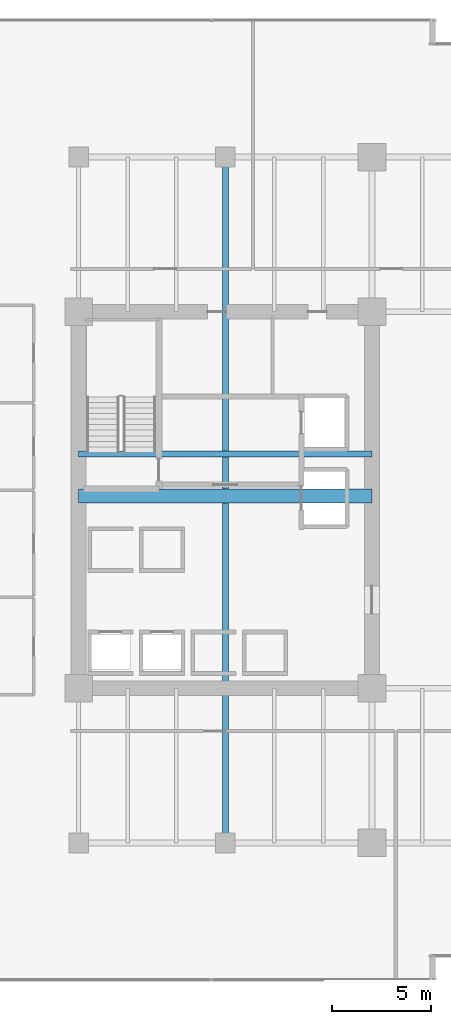
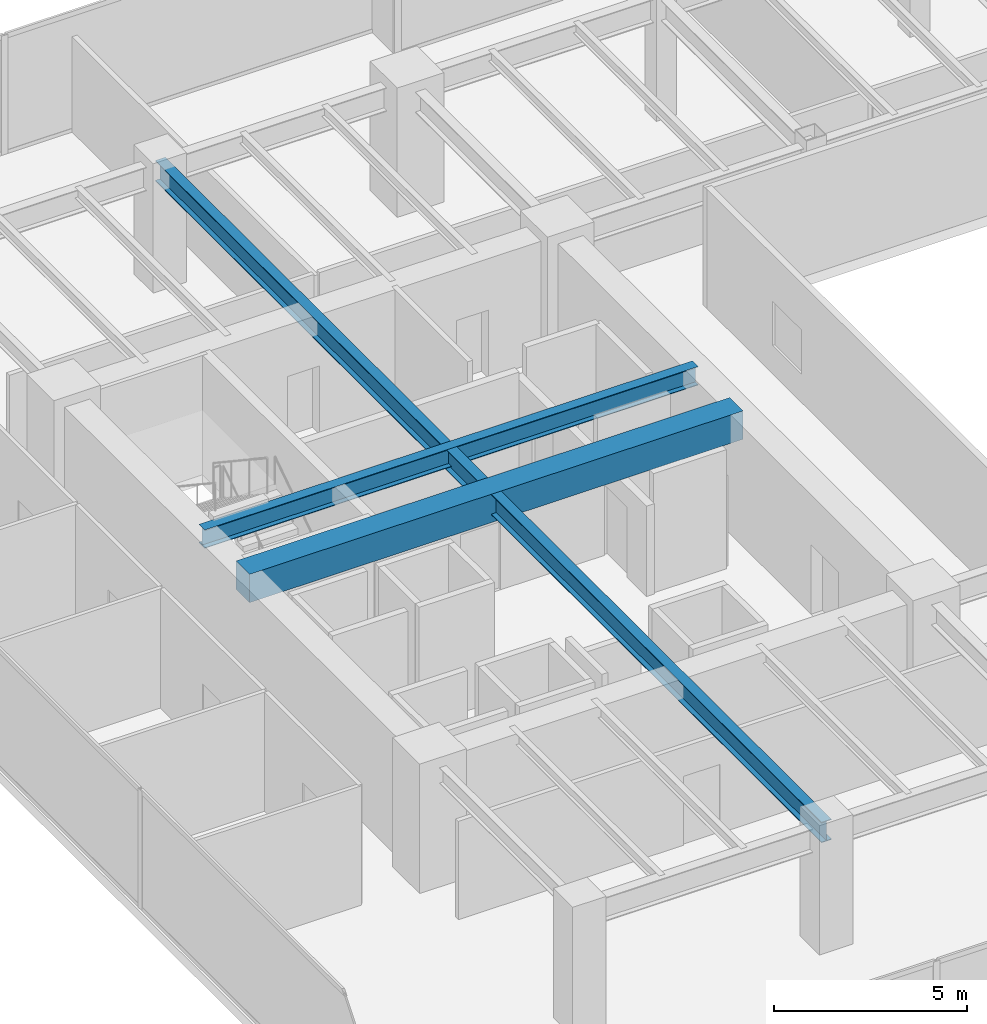
# One storey, part 7 of 35: 3 beams.
"""IFC4 building model written with IfcOpenShell, lengths in metres."""

from ifc_helpers import new_model, si_unit, direction, frame, origin, origin_2d, place, context, subcontext, project, spatial, rectangle, i_section, extrude, source, transform, mapped, material, material_profile, profile_set, type_object, type_shapes, element, save


model = new_model("IFC4")

# Units and contexts
model_context = context("Model", 3, precision=1e-05, world=origin(), true_north=direction((0.0, 1.0)))
body_context = subcontext(model_context, "Body", "Model", "MODEL_VIEW")
ifc_project = project(units=[si_unit("LENGTHUNIT", "METRE"), si_unit("AREAUNIT", "SQUARE_METRE"), si_unit("VOLUMEUNIT", "CUBIC_METRE"), si_unit("PLANEANGLEUNIT", "RADIAN"), si_unit("MASSUNIT", "GRAM", prefix="KILO")], contexts=[model_context])

# Site, building, storey
site_placement = place(None, origin())
site = spatial("IfcSite", under=ifc_project, at=site_placement, CompositionType="ELEMENT")
building_placement = place(site_placement, origin())
building = spatial("IfcBuilding", under=site, at=building_placement, Name="Haelvirn Gate Laboratories", CompositionType="ELEMENT")
storey_placement = place(building_placement, frame((0.0, 0.0, 90.800048828125)))
storey = spatial("IfcBuildingStorey", under=building, at=storey_placement, Name="L22", CompositionType="ELEMENT", Elevation=90.800048828125)

# Beams
ifc_material_1 = material(Name="Concrete C60/75", Category="concrete")
ifc_material_profile_1 = material_profile(ifc_material_1, rectangle(XDim=0.699951171875, YDim=0.89990234375, at=origin_2d()), Name="RCB-700x900")
ifc_profile_set_1 = profile_set([ifc_material_profile_1], Name="Concrete C60/75")
beam_type_1 = type_object("IfcBeamType", Name="BM-RCB-900", PredefinedType="LINTEL", material=ifc_profile_set_1)
shared_shape_1 = source(origin(), body_context, "Body", "SweptSolid", [
    extrude(rectangle(XDim=0.699951171875, YDim=0.89990234375, at=origin_2d()), origin(), (0.0, 0.0, 1.0), 14.800048828125),
])
type_shapes(beam_type_1, [shared_shape_1])
beam_1_placement = place(storey_placement, frame((7.39990234375, 24.5, 3.329833984375), z_axis=(1.0, 0.0, 0.0), x_axis=(0.0, 1.0, 0.0)))
element("IfcBeam", 1, at=beam_1_placement, inside=storey, type_object=beam_type_1, Name="L22 West Core Coupling Beam", PredefinedType="LINTEL", context=body_context, shape_type="MappedRepresentation", body=[
    mapped(shared_shape_1, transform((0.0, 0.0, 0.0), scale=1.0)),
])
ifc_material_2 = material(Name="Steel SM355", Category="steel")
ifc_material_profile_2 = material_profile(ifc_material_2, i_section(OverallWidth=0.300048828125, OverallDepth=0.587890625, WebThickness=0.011962890625, FlangeThickness=0.02001953125, at=origin_2d()), Name="H-588x300x12x20")
ifc_profile_set_2 = profile_set([ifc_material_profile_2], Name="Steel SM355")
beam_type_2 = type_object("IfcBeamType", Name="BM-G-588", PredefinedType="BEAM", material=ifc_profile_set_2)
shared_shape_2 = source(origin(), body_context, "Body", "SweptSolid", [
    extrude(i_section(OverallWidth=0.300048828125, OverallDepth=0.587890625, WebThickness=0.011962890625, FlangeThickness=0.02001953125, at=origin_2d()), origin(), (0.0, 0.0, 1.0), 14.800048828125),
])
type_shapes(beam_type_2, [shared_shape_2])
beam_2_placement = place(storey_placement, frame((7.39990234375, 26.6201171875, 3.48583984375), z_axis=(1.0, 0.0, 0.0), x_axis=(0.0, 1.0, 0.0)))
element("IfcBeam", 2, at=beam_2_placement, inside=storey, type_object=beam_type_2, Name="L22 Stair ST1 Landing Header", PredefinedType="BEAM", context=body_context, shape_type="MappedRepresentation", body=[
    mapped(shared_shape_2, transform((0.0, 0.0, 0.0), scale=1.0)),
])
ifc_material_profile_3 = material_profile(ifc_material_2, i_section(OverallWidth=0.300048828125, OverallDepth=0.64990234375, WebThickness=0.012939453125, FlangeThickness=0.02197265625, at=origin_2d()), Name="H-650x300x13x22")
ifc_profile_set_3 = profile_set([ifc_material_profile_3], Name="Steel SM355")
beam_type_3 = type_object("IfcBeamType", Name="BM-G-650", PredefinedType="BEAM", material=ifc_profile_set_3)
shared_shape_3 = source(origin(), body_context, "Body", "SweptSolid", [
    extrude(i_section(OverallWidth=0.300048828125, OverallDepth=0.64990234375, WebThickness=0.012939453125, FlangeThickness=0.02197265625, at=origin_2d()), origin(), (0.0, 0.0, 1.0), 34.60009765625),
])
type_shapes(beam_type_3, [shared_shape_3])
beam_3_placement = place(storey_placement, frame((14.800048828125, 7.0, 3.454833984375), z_axis=(0.0, 1.0, 0.0), x_axis=(-1.0, 0.0, 0.0)))
element("IfcBeam", 3, at=beam_3_placement, inside=storey, type_object=beam_type_3, Name="L22 Frame Girder X14.8 (7.0-41.6)", PredefinedType="BEAM", context=body_context, shape_type="MappedRepresentation", body=[
    mapped(shared_shape_3, transform((0.0, 0.0, 0.0), scale=1.0)),
])

save(model, "model.ifc")
